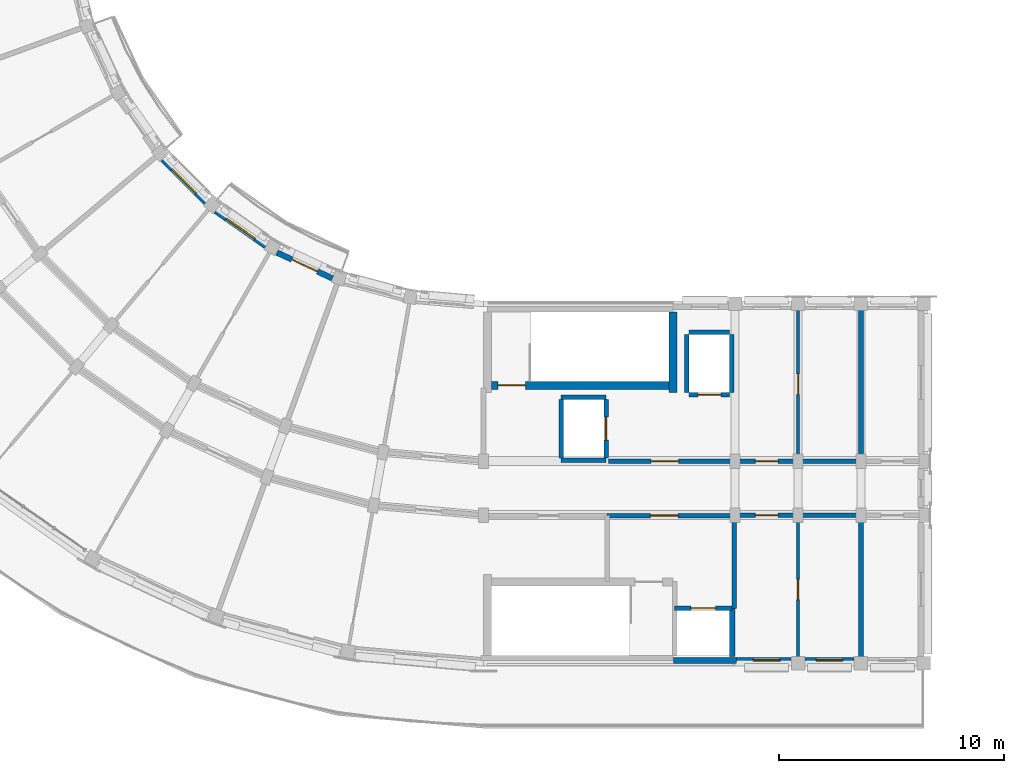
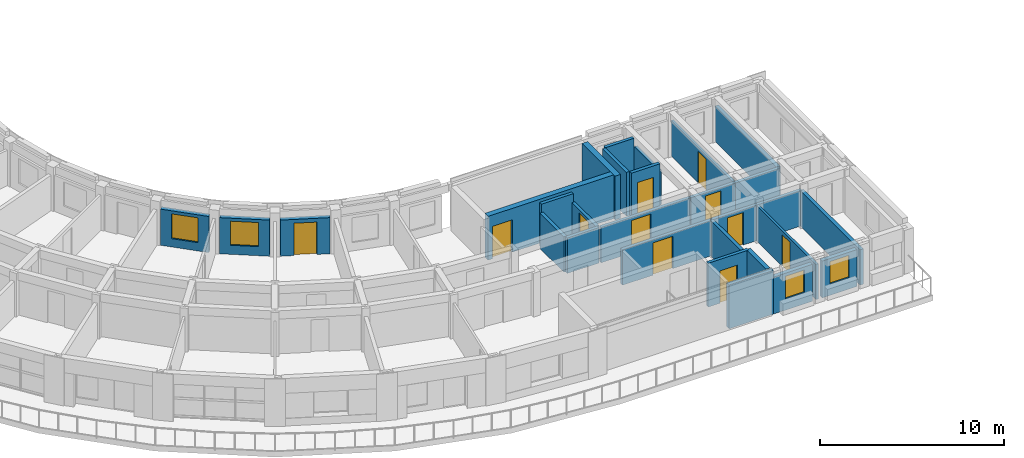
# One storey, part 18 of 53: 29 walls, 11 doors, 4 windows, 15 openings.
"""IFC4 building model written with IfcOpenShell, lengths in metres."""

from ifc_helpers import new_model, si_unit, direction, frame, frame_2d, origin, place, context, subcontext, project, spatial, rectangle, extrude, material, layer, layer_set, type_object, element, fill, save


model = new_model("IFC4")

# Units and contexts
model_context = context("Model", 3, precision=1e-05, world=origin(), true_north=direction((0.0, 1.0)))
body_context = subcontext(model_context, "Body", "Model", "MODEL_VIEW")
ifc_project = project(units=[si_unit("LENGTHUNIT", "METRE"), si_unit("AREAUNIT", "SQUARE_METRE"), si_unit("VOLUMEUNIT", "CUBIC_METRE"), si_unit("PLANEANGLEUNIT", "RADIAN"), si_unit("MASSUNIT", "GRAM", prefix="KILO")], contexts=[model_context])

# Site, building, storey
site_placement = place(None, origin())
site = spatial("IfcSite", under=ifc_project, at=site_placement, CompositionType="ELEMENT")
building_placement = place(site_placement, origin())
building = spatial("IfcBuilding", under=site, at=building_placement, Name="Kiranvali Square Residences", CompositionType="ELEMENT")
storey_placement = place(building_placement, frame((0.0, 0.0, 30.75)))
storey = spatial("IfcBuildingStorey", under=building, at=storey_placement, Name="L09", CompositionType="ELEMENT", Elevation=30.75)

# Wall, opening, door
ifc_material_1 = material(Name="Autoclaved aerated concrete blockwork masonry", Category="masonry")
ifc_layer_1 = layer(ifc_material_1, 0.199951171875)
ifc_layer_set_1 = layer_set([ifc_layer_1], Name="Autoclaved aerated concrete blockwork masonry")
wall_type_1 = type_object("IfcWallType", Name="WL-COR-200", PredefinedType="STANDARD", material=ifc_layer_set_1)
wall_1_placement = place(storey_placement, frame((53.75, 22.39990234375, 0.0), z_axis=(0.0, 0.0, 1.0), x_axis=(1.0, 0.0, 0.0)))
wall_1 = element("IfcWall", 1, at=wall_1_placement, inside=storey, type_object=wall_type_1, Name="L09 architectural wall WL-L09-C-LL-COR", PredefinedType="STANDARD", context=body_context, shape_type="SweptSolid", body=[
    extrude(rectangle(XDim=5.60009765625, YDim=0.199951171875, at=frame_2d((2.800048828125, 0.0))), origin(), (0.0, 0.0, 1.0), 2.35205078125),
])
opening_1_placement = place(wall_1_placement, frame((1.909912109375, 0.0, 0.0)))
opening_1 = element("IfcOpeningElement", 2, at=opening_1_placement, cuts=wall_1, Name="Opening FD-COR-60", PredefinedType="OPENING", context=body_context, shape_type="SweptSolid", body=[
    extrude(rectangle(XDim=1.219970703125, YDim=2.14990234375, at=frame_2d((0.60986328125, 1.074951171875))), frame((0.0, 0.10986328125, 0.0), z_axis=(0.0, -1.0, 0.0), x_axis=(1.0, 0.0, 0.0)), (0.0, 0.0, 1.0), 0.219970703125),
])
ifc_material_2 = material(Name="Fire-rated acoustic hardwood and mineral-core door assembly", Category="wood")
door_type_1 = type_object("IfcDoorType", Name="DR-FD60-1200", OperationType="NOTDEFINED", PredefinedType="DOOR", material=ifc_material_2)
door_1_placement = place(opening_1_placement, origin())
door_1 = element("IfcDoor", 3, at=door_1_placement, inside=storey, type_object=door_type_1, Name="L09 door DR-L09-2263 (DR-FD60-1200)", OperationType="SINGLE_SWING_LEFT", OverallHeight=2.14990234375, OverallWidth=1.219970703125, PredefinedType="DOOR", context=body_context, shape_type="SweptSolid", body=[
    extrude(rectangle(XDim=1.219970703125, YDim=2.14990234375, at=frame_2d((0.60986328125, 1.074951171875))), frame((0.0, 0.02490234375, 0.0), z_axis=(0.0, -1.0, 0.0), x_axis=(1.0, 0.0, 0.0)), (0.0, 0.0, 1.0), 0.050048828125),
])
fill(opening_1, door_1)

wall_2_placement = place(storey_placement, frame((59.39990234375, 22.39990234375, 0.0), z_axis=(0.0, 0.0, 1.0), x_axis=(1.0, 0.0, 0.0)))
wall_2 = element("IfcWall", 4, at=wall_2_placement, inside=storey, type_object=wall_type_1, Name="L09 architectural wall WL-L09-C-A1CI-0", PredefinedType="STANDARD", context=body_context, shape_type="SweptSolid", body=[
    extrude(rectangle(XDim=2.800048828125, YDim=0.199951171875, at=frame_2d((1.39990234375, 0.0))), origin(), (0.0, 0.0, 1.0), 2.35205078125),
])
opening_2_placement = place(wall_2_placement, frame((0.89990234375, 0.0, 0.0)))
opening_2 = element("IfcOpeningElement", 5, at=opening_2_placement, cuts=wall_2, Name="Opening FD-APT-60", PredefinedType="OPENING", context=body_context, shape_type="SweptSolid", body=[
    extrude(rectangle(XDim=1.0, YDim=2.14990234375, at=frame_2d((0.5, 1.074951171875))), frame((0.0, 0.10986328125, 0.0), z_axis=(0.0, -1.0, 0.0), x_axis=(1.0, 0.0, 0.0)), (0.0, 0.0, 1.0), 0.219970703125),
])
door_type_2 = type_object("IfcDoorType", Name="DR-APT-1000", OperationType="NOTDEFINED", PredefinedType="DOOR", material=ifc_material_2)
door_2_placement = place(opening_2_placement, frame((1.0, 0.0, 0.0), z_axis=(0.0, 0.0, 1.0), x_axis=(-1.0, 0.0, 0.0)))
door_2 = element("IfcDoor", 6, at=door_2_placement, inside=storey, type_object=door_type_2, Name="L09 door DR-L09-2266 (DR-APT-1000)", OperationType="SINGLE_SWING_RIGHT", OverallHeight=2.14990234375, OverallWidth=1.0, PredefinedType="DOOR", context=body_context, shape_type="SweptSolid", body=[
    extrude(rectangle(XDim=1.0, YDim=2.14990234375, at=frame_2d((0.5, 1.074951171875))), frame((0.0, 0.02490234375, 0.0), z_axis=(0.0, -1.0, 0.0), x_axis=(1.0, 0.0, 0.0)), (0.0, 0.0, 1.0), 0.050048828125),
])
fill(opening_2, door_2)

wall_3_placement = place(storey_placement, frame((59.39990234375, 20.0, 0.0), z_axis=(0.0, 0.0, 1.0), x_axis=(1.0, 0.0, 0.0)))
wall_3 = element("IfcWall", 7, at=wall_3_placement, inside=storey, type_object=wall_type_1, Name="L09 architectural wall WL-L09-C-A1CO-0", PredefinedType="STANDARD", context=body_context, shape_type="SweptSolid", body=[
    extrude(rectangle(XDim=2.800048828125, YDim=0.199951171875, at=frame_2d((1.39990234375, 0.0))), origin(), (0.0, 0.0, 1.0), 2.35205078125),
])
opening_3_placement = place(wall_3_placement, frame((0.89990234375, 0.0, 0.0)))
opening_3 = element("IfcOpeningElement", 8, at=opening_3_placement, cuts=wall_3, Name="Opening FD-APT-60", PredefinedType="OPENING", context=body_context, shape_type="SweptSolid", body=[
    extrude(rectangle(XDim=1.0, YDim=2.14990234375, at=frame_2d((0.5, 1.074951171875))), frame((0.0, 0.10986328125, 0.0), z_axis=(0.0, -1.0, 0.0), x_axis=(1.0, 0.0, 0.0)), (0.0, 0.0, 1.0), 0.219970703125),
])
door_3_placement = place(opening_3_placement, origin())
door_3 = element("IfcDoor", 9, at=door_3_placement, inside=storey, type_object=door_type_2, Name="L09 door DR-L09-2267 (DR-APT-1000)", OperationType="SINGLE_SWING_LEFT", OverallHeight=2.14990234375, OverallWidth=1.0, PredefinedType="DOOR", context=body_context, shape_type="SweptSolid", body=[
    extrude(rectangle(XDim=1.0, YDim=2.14990234375, at=frame_2d((0.5, 1.074951171875))), frame((0.0, 0.02490234375, 0.0), z_axis=(0.0, -1.0, 0.0), x_axis=(1.0, 0.0, 0.0)), (0.0, 0.0, 1.0), 0.050048828125),
])
fill(opening_3, door_3)

# Walls
for number, where, z_axis, x_axis, name in (
    (10, (62.199951171875, 22.39990234375, 0.0), (0.0, 0.0, 1.0), (1.0, 0.0, 0.0), "L09 architectural wall WL-L09-C-A1CI-1"),
    (11, (62.199951171875, 20.0, 0.0), (0.0, 0.0, 1.0), (1.0, 0.0, 0.0), "L09 architectural wall WL-L09-C-A1CO-1"),
):
    element("IfcWall", number, at=place(storey_placement, frame(where, z_axis=z_axis, x_axis=x_axis)), inside=storey, type_object=wall_type_1, Name=name, PredefinedType="STANDARD", context=body_context, shape_type="SweptSolid", body=[
        extrude(rectangle(XDim=2.800048828125, YDim=0.199951171875, at=frame_2d((1.39990234375, 0.0))), origin(), (0.0, 0.0, 1.0), 2.35205078125),
    ])
ifc_layer_2 = layer(ifc_material_1, 0.219970703125)
ifc_layer_set_2 = layer_set([ifc_layer_2], Name="Autoclaved aerated concrete blockwork masonry")
wall_type_2 = type_object("IfcWallType", Name="WL-DEM-220", PredefinedType="STANDARD", material=ifc_layer_set_2)
wall_4_placement = place(storey_placement, frame((65.0, 29.199951171875, 0.0), z_axis=(0.0, 0.0, 1.0), x_axis=(0.0, -1.0, 0.0)))
element("IfcWall", 12, at=wall_4_placement, inside=storey, type_object=wall_type_2, Name="L09 architectural wall WL-L09-C-A1TI-2", PredefinedType="STANDARD", context=body_context, shape_type="SweptSolid", body=[
    extrude(rectangle(XDim=6.75, YDim=0.219970703125, at=frame_2d((3.375, 0.0))), origin(), (0.0, 0.0, 1.0), 2.35205078125),
])
wall_5_placement = place(storey_placement, frame((65.0, 19.949951171875, 0.0), z_axis=(0.0, 0.0, 1.0), x_axis=(0.0, -1.0, 0.0)))
element("IfcWall", 13, at=wall_5_placement, inside=storey, type_object=wall_type_2, Name="L09 architectural wall WL-L09-C-A1TO1-2", PredefinedType="STANDARD", context=body_context, shape_type="SweptSolid", body=[
    extrude(rectangle(XDim=6.530029296875, YDim=0.219970703125, at=frame_2d((3.26513671875, 0.0))), origin(), (0.0, 0.0, 1.0), 2.35205078125),
])

# Wall, opening, door
ifc_material_3 = material(Name="Breathable lime-rendered clay brick masonry", Category="masonry")
ifc_layer_3 = layer(ifc_material_3, 0.25)
ifc_layer_set_3 = layer_set([ifc_layer_3], Name="Breathable lime-rendered clay brick masonry")
wall_type_3 = type_object("IfcWallType", Name="WL-EXT-250", PredefinedType="STANDARD", material=ifc_layer_set_3)
wall_6_placement = place(storey_placement, frame((41.464599609375, 30.538330078125, 0.0), z_axis=(0.0, 0.0, 1.0), x_axis=(-0.906302358412, 0.422629903269, 0.0)))
wall_6 = element("IfcWall", 14, at=wall_6_placement, inside=storey, type_object=wall_type_3, Name="L09 exterior wall C-L09-GDN-02", PredefinedType="STANDARD", context=body_context, shape_type="SweptSolid", body=[
    extrude(rectangle(XDim=2.7197265625, YDim=0.25, at=frame_2d((1.35986328125, 0.0))), origin(), (0.0, 0.0, 1.0), 2.402099609375),
])
opening_4_placement = place(wall_6_placement, frame((0.729736328125, 0.0, 0.0)))
opening_4 = element("IfcOpeningElement", 15, at=opening_4_placement, cuts=wall_6, Name="Opening ED-BAL-2", PredefinedType="OPENING", context=body_context, shape_type="SweptSolid", body=[
    extrude(rectangle(XDim=1.260009765625, YDim=2.14990234375, at=frame_2d((0.6298828125, 1.074951171875))), frame((0.0, 0.135009765625, 0.0), z_axis=(0.0, -1.0, 0.0), x_axis=(1.0, 0.0, 0.0)), (0.0, 0.0, 1.0), 0.27001953125),
])
ifc_material_4 = material(Name="Anodised bronze aluminium framing", Category="aluminium")
door_type_3 = type_object("IfcDoorType", Name="DR-BAL-1260", OperationType="NOTDEFINED", PredefinedType="DOOR", material=ifc_material_4)
door_4_placement = place(opening_4_placement, frame((1.260009765625, 0.0, 0.0), z_axis=(0.0, 0.0, 1.0), x_axis=(-1.0, 0.0, 0.0)))
door_4 = element("IfcDoor", 16, at=door_4_placement, inside=storey, type_object=door_type_3, Name="L09 balcony terrace door", OperationType="SINGLE_SWING_LEFT", OverallHeight=2.14990234375, OverallWidth=1.260009765625, PredefinedType="DOOR", context=body_context, shape_type="SweptSolid", body=[
    extrude(rectangle(XDim=1.260009765625, YDim=2.14990234375, at=frame_2d((0.6298828125, 1.074951171875))), frame((0.0, 0.02490234375, 0.0), z_axis=(0.0, -1.0, 0.0), x_axis=(1.0, 0.0, 0.0)), (0.0, 0.0, 1.0), 0.050048828125),
])
fill(opening_4, door_4)

# Wall, opening, window
wall_7_placement = place(storey_placement, frame((38.5, 31.97607421875, 0.0), z_axis=(0.0, 0.0, 1.0), x_axis=(-0.819126475299, 0.573612950921, 0.0)))
wall_7 = element("IfcWall", 17, at=wall_7_placement, inside=storey, type_object=wall_type_3, Name="L09 exterior wall C-L09-GDN-03", PredefinedType="STANDARD", context=body_context, shape_type="SweptSolid", body=[
    extrude(rectangle(XDim=2.7197265625, YDim=0.25, at=frame_2d((1.35986328125, 0.0))), origin(), (0.0, 0.0, 1.0), 2.402099609375),
])
opening_5_placement = place(wall_7_placement, frame((0.5849609375, 0.0, 0.60205078125)))
opening_5 = element("IfcOpeningElement", 18, at=opening_5_placement, cuts=wall_7, Name="Opening W-18", PredefinedType="OPENING", context=body_context, shape_type="SweptSolid", body=[
    extrude(rectangle(XDim=1.550048828125, YDim=1.60009765625, at=frame_2d((0.77490234375, 0.800048828125))), frame((0.0, 0.135009765625, 0.0), z_axis=(0.0, -1.0, 0.0), x_axis=(1.0, 0.0, 0.0)), (0.0, 0.0, 1.0), 0.27001953125),
])
ifc_material_5 = material(Name="Solar-control low-e double glazing", Category="glass")
window_type_1 = type_object("IfcWindowType", Name="WIN-GDN-1550x1600", PartitioningType="DOUBLE_PANEL_VERTICAL", PredefinedType="WINDOW", material=ifc_material_5)
window_1_placement = place(opening_5_placement, origin())
window_1 = element("IfcWindow", 19, at=window_1_placement, inside=storey, type_object=window_type_1, Name="L09 recessed window C-L09-GDN-03", OverallHeight=1.60009765625, OverallWidth=1.550048828125, PartitioningType="DOUBLE_PANEL_VERTICAL", PredefinedType="WINDOW", context=body_context, shape_type="SweptSolid", body=[
    extrude(rectangle(XDim=1.550048828125, YDim=1.60009765625, at=frame_2d((0.77490234375, 0.800048828125))), frame((0.0, 0.030029296875, 0.0), z_axis=(0.0, -1.0, 0.0), x_axis=(1.0, 0.0, 0.0)), (0.0, 0.0, 1.0), 0.06005859375),
])
fill(opening_5, window_1)

wall_8_placement = place(storey_placement, frame((35.830078125, 33.906982421875, 0.0), z_axis=(0.0, 0.0, 1.0), x_axis=(-0.707106781187, 0.707106781187, 0.0)))
wall_8 = element("IfcWall", 20, at=wall_8_placement, inside=storey, type_object=wall_type_3, Name="L09 exterior wall C-L09-GDN-04", PredefinedType="STANDARD", context=body_context, shape_type="SweptSolid", body=[
    extrude(rectangle(XDim=2.7197265625, YDim=0.25, at=frame_2d((1.35986328125, 0.0))), origin(), (0.0, 0.0, 1.0), 2.402099609375),
])
opening_6_placement = place(wall_8_placement, frame((0.60986328125, 0.0, 0.552001953125)))
opening_6 = element("IfcOpeningElement", 21, at=opening_6_placement, cuts=wall_8, Name="Opening W-05", PredefinedType="OPENING", context=body_context, shape_type="SweptSolid", body=[
    extrude(rectangle(XDim=1.5, YDim=1.64990234375, at=frame_2d((0.75, 0.824951171875))), frame((0.0, 0.135009765625, 0.0), z_axis=(0.0, -1.0, 0.0), x_axis=(1.0, 0.0, 0.0)), (0.0, 0.0, 1.0), 0.27001953125),
])
window_type_2 = type_object("IfcWindowType", Name="WIN-RES-1500x1650", PartitioningType="DOUBLE_PANEL_VERTICAL", PredefinedType="WINDOW", material=ifc_material_5)
window_2_placement = place(opening_6_placement, origin())
window_2 = element("IfcWindow", 22, at=window_2_placement, inside=storey, type_object=window_type_2, Name="L09 recessed window C-L09-GDN-04", OverallHeight=1.64990234375, OverallWidth=1.5, PartitioningType="DOUBLE_PANEL_VERTICAL", PredefinedType="WINDOW", context=body_context, shape_type="SweptSolid", body=[
    extrude(rectangle(XDim=1.5, YDim=1.64990234375, at=frame_2d((0.75, 0.824951171875))), frame((0.0, 0.030029296875, 0.0), z_axis=(0.0, -1.0, 0.0), x_axis=(1.0, 0.0, 0.0)), (0.0, 0.0, 1.0), 0.06005859375),
])
fill(opening_6, window_2)

wall_9_placement = place(storey_placement, frame((59.45361328125, 13.52490234375, 0.0), z_axis=(0.0, 0.0, 1.0), x_axis=(1.0, 0.0, 0.0)))
wall_9 = element("IfcWall", 23, at=wall_9_placement, inside=storey, type_object=wall_type_3, Name="L09 exterior wall C-L09-A1TO-0", PredefinedType="STANDARD", context=body_context, shape_type="SweptSolid", body=[
    extrude(rectangle(XDim=2.44287109375, YDim=0.25, at=frame_2d((1.221435546875, 0.0))), origin(), (0.0, 0.0, 1.0), 2.451904296875),
])
opening_7_placement = place(wall_9_placement, frame((0.74658203125, 0.0, 0.751953125)))
opening_7 = element("IfcOpeningElement", 24, at=opening_7_placement, cuts=wall_9, Name="Opening W-06", PredefinedType="OPENING", context=body_context, shape_type="SweptSolid", body=[
    extrude(rectangle(XDim=1.199951171875, YDim=1.5, at=frame_2d((0.60009765625, 0.75))), frame((0.0, 0.135009765625, 0.0), z_axis=(0.0, -1.0, 0.0), x_axis=(1.0, 0.0, 0.0)), (0.0, 0.0, 1.0), 0.27001953125),
])
window_type_3 = type_object("IfcWindowType", Name="WIN-RES-1200x1500", PartitioningType="SINGLE_PANEL", PredefinedType="WINDOW", material=ifc_material_5)
window_3_placement = place(opening_7_placement, origin())
window_3 = element("IfcWindow", 25, at=window_3_placement, inside=storey, type_object=window_type_3, Name="L09 recessed window C-L09-A1TO-0", OverallHeight=1.5, OverallWidth=1.199951171875, PartitioningType="SINGLE_PANEL", PredefinedType="WINDOW", context=body_context, shape_type="SweptSolid", body=[
    extrude(rectangle(XDim=1.199951171875, YDim=1.5, at=frame_2d((0.60009765625, 0.75))), frame((0.0, 0.030029296875, 0.0), z_axis=(0.0, -1.0, 0.0), x_axis=(1.0, 0.0, 0.0)), (0.0, 0.0, 1.0), 0.06005859375),
])
fill(opening_7, window_3)

wall_10_placement = place(storey_placement, frame((62.50341796875, 13.52490234375, 0.0), z_axis=(0.0, 0.0, 1.0), x_axis=(1.0, 0.0, 0.0)))
wall_10 = element("IfcWall", 26, at=wall_10_placement, inside=storey, type_object=wall_type_3, Name="L09 exterior wall C-L09-A1TO-1", PredefinedType="STANDARD", context=body_context, shape_type="SweptSolid", body=[
    extrude(rectangle(XDim=2.193115234375, YDim=0.25, at=frame_2d((1.0966796875, 0.0))), origin(), (0.0, 0.0, 1.0), 2.451904296875),
])
opening_8_placement = place(wall_10_placement, frame((0.49658203125, 0.0, 0.751953125)))
opening_8 = element("IfcOpeningElement", 27, at=opening_8_placement, cuts=wall_10, Name="Opening W-06", PredefinedType="OPENING", context=body_context, shape_type="SweptSolid", body=[
    extrude(rectangle(XDim=1.199951171875, YDim=1.5, at=frame_2d((0.60009765625, 0.75))), frame((0.0, 0.135009765625, 0.0), z_axis=(0.0, -1.0, 0.0), x_axis=(1.0, 0.0, 0.0)), (0.0, 0.0, 1.0), 0.27001953125),
])
window_4_placement = place(opening_8_placement, origin())
window_4 = element("IfcWindow", 28, at=window_4_placement, inside=storey, type_object=window_type_3, Name="L09 recessed window C-L09-A1TO-1", OverallHeight=1.5, OverallWidth=1.199951171875, PartitioningType="SINGLE_PANEL", PredefinedType="WINDOW", context=body_context, shape_type="SweptSolid", body=[
    extrude(rectangle(XDim=1.199951171875, YDim=1.5, at=frame_2d((0.60009765625, 0.75))), frame((0.0, 0.030029296875, 0.0), z_axis=(0.0, -1.0, 0.0), x_axis=(1.0, 0.0, 0.0)), (0.0, 0.0, 1.0), 0.06005859375),
])
fill(opening_8, window_4)

# Wall, opening, door
ifc_layer_4 = layer(ifc_material_1, 0.199951171875)
ifc_layer_set_4 = layer_set([ifc_layer_4], Name="Autoclaved aerated concrete blockwork masonry")
wall_type_4 = type_object("IfcWallType", Name="WL-FFL-200", PredefinedType="STANDARD", material=ifc_layer_set_4)
wall_11_placement = place(storey_placement, frame((53.699951171875, 19.97998046875, 0.0), z_axis=(0.0, 0.0, 1.0), x_axis=(1.0, 0.0, 0.0)))
wall_11 = element("IfcWall", 29, at=wall_11_placement, inside=storey, type_object=wall_type_4, Name="L09 architectural wall WL-L09-C-FF-COR", PredefinedType="STANDARD", context=body_context, shape_type="SweptSolid", body=[
    extrude(rectangle(XDim=5.650146484375, YDim=0.199951171875, at=frame_2d((2.8251953125, 0.0))), origin(), (0.0, 0.0, 1.0), 2.35205078125),
])
opening_9_placement = place(wall_11_placement, frame((1.922607421875, 0.0, 0.0)))
opening_9 = element("IfcOpeningElement", 30, at=opening_9_placement, cuts=wall_11, Name="Opening FD-ST-120", PredefinedType="OPENING", context=body_context, shape_type="SweptSolid", body=[
    extrude(rectangle(XDim=1.239990234375, YDim=2.14990234375, at=frame_2d((0.6201171875, 1.074951171875))), frame((0.0, 0.10986328125, 0.0), z_axis=(0.0, -1.0, 0.0), x_axis=(1.0, 0.0, 0.0)), (0.0, 0.0, 1.0), 0.219970703125),
])
door_type_4 = type_object("IfcDoorType", Name="DR-FD120-1200", OperationType="NOTDEFINED", PredefinedType="DOOR", material=ifc_material_2)
door_5_placement = place(opening_9_placement, origin())
door_5 = element("IfcDoor", 31, at=door_5_placement, inside=storey, type_object=door_type_4, Name="L09 door DR-L09-2255 (DR-FD120-1200)", OperationType="SINGLE_SWING_LEFT", OverallHeight=2.14990234375, OverallWidth=1.239990234375, PredefinedType="DOOR", context=body_context, shape_type="SweptSolid", body=[
    extrude(rectangle(XDim=1.239990234375, YDim=2.14990234375, at=frame_2d((0.6201171875, 1.074951171875))), frame((0.0, 0.02490234375, 0.0), z_axis=(0.0, -1.0, 0.0), x_axis=(1.0, 0.0, 0.0)), (0.0, 0.0, 1.0), 0.050048828125),
])
fill(opening_9, door_5)

# Wall
wall_12_placement = place(storey_placement, frame((59.35009765625, 19.97998046875, 0.0), z_axis=(0.0, 0.0, 1.0), x_axis=(0.0, -1.0, 0.0)))
element("IfcWall", 32, at=wall_12_placement, inside=storey, type_object=wall_type_4, Name="L09 architectural wall WL-L09-C-FF-END", PredefinedType="STANDARD", context=body_context, shape_type="SweptSolid", body=[
    extrude(rectangle(XDim=4.1298828125, YDim=0.199951171875, at=frame_2d((2.06494140625, 0.0))), origin(), (0.0, 0.0, 1.0), 2.35205078125),
])

# Wall, opening, door
wall_13_placement = place(storey_placement, frame((56.699951171875, 15.85009765625, 0.0), z_axis=(0.0, 0.0, 1.0), x_axis=(1.0, 0.0, 0.0)))
wall_13 = element("IfcWall", 33, at=wall_13_placement, inside=storey, type_object=wall_type_4, Name="L09 architectural wall WL-L09-C-FF-LFT", PredefinedType="STANDARD", context=body_context, shape_type="SweptSolid", body=[
    extrude(rectangle(XDim=2.550048828125, YDim=0.199951171875, at=frame_2d((1.27490234375, 0.0))), origin(), (0.0, 0.0, 1.0), 2.909912109375),
])
opening_10_placement = place(wall_13_placement, frame((0.72509765625, 0.0, 0.0)))
opening_10 = element("IfcOpeningElement", 34, at=opening_10_placement, cuts=wall_13, Name="Opening LD-FF-110", PredefinedType="OPENING", context=body_context, shape_type="SweptSolid", body=[
    extrude(rectangle(XDim=1.10009765625, YDim=2.14990234375, at=frame_2d((0.550048828125, 1.074951171875))), frame((0.0, 0.10986328125, 0.0), z_axis=(0.0, -1.0, 0.0), x_axis=(1.0, 0.0, 0.0)), (0.0, 0.0, 1.0), 0.219970703125),
])
door_type_5 = type_object("IfcDoorType", Name="DR-LIFT-FF-1100", OperationType="SLIDING_TO_LEFT", PredefinedType="DOOR", material=ifc_material_2)
door_6_placement = place(opening_10_placement, origin())
door_6 = element("IfcDoor", 35, at=door_6_placement, inside=storey, type_object=door_type_5, Name="L09 door DR-L09-2257 (DR-LIFT-FF-1100)", OperationType="SLIDING_TO_LEFT", OverallHeight=2.14990234375, OverallWidth=1.10009765625, PredefinedType="DOOR", context=body_context, shape_type="SweptSolid", body=[
    extrude(rectangle(XDim=1.10009765625, YDim=2.14990234375, at=frame_2d((0.550048828125, 1.074951171875))), frame((0.0, 0.02490234375, 0.0), z_axis=(0.0, -1.0, 0.0), x_axis=(1.0, 0.0, 0.0)), (0.0, 0.0, 1.0), 0.050048828125),
])
fill(opening_10, door_6)

ifc_material_6 = material(Name="Acoustic gypsum board drylined partition", Category="gypsum")
ifc_layer_5 = layer(ifc_material_6, 0.14990234375)
ifc_layer_set_5 = layer_set([ifc_layer_5], Name="Acoustic gypsum board drylined partition")
wall_type_5 = type_object("IfcWallType", Name="WL-PRT-150", PredefinedType="PARTITIONING", material=ifc_layer_set_5)
wall_14_placement = place(storey_placement, frame((62.199951171875, 29.199951171875, 0.0), z_axis=(0.0, 0.0, 1.0), x_axis=(0.0, -1.0, 0.0)))
wall_14 = element("IfcWall", 36, at=wall_14_placement, inside=storey, type_object=wall_type_5, Name="L09 architectural wall WL-L09-C-A1TI-1", PredefinedType="PARTITIONING", context=body_context, shape_type="SweptSolid", body=[
    extrude(rectangle(XDim=6.75, YDim=0.14990234375, at=frame_2d((3.375, 0.0))), origin(), (0.0, 0.0, 1.0), 2.35205078125),
])
opening_11_placement = place(wall_14_placement, frame((2.925048828125, 0.0, 0.0)))
opening_11 = element("IfcOpeningElement", 37, at=opening_11_placement, cuts=wall_14, Name="Opening ID-1", PredefinedType="OPENING", context=body_context, shape_type="SweptSolid", body=[
    extrude(rectangle(XDim=0.89990234375, YDim=2.10009765625, at=frame_2d((0.449951171875, 1.050048828125))), frame((0.0, 0.0849609375, 0.0), z_axis=(0.0, -1.0, 0.0), x_axis=(1.0, 0.0, 0.0)), (0.0, 0.0, 1.0), 0.169921875),
])
ifc_material_7 = material(Name="Solid seasoned teak hardwood joinery", Category="wood")
door_type_6 = type_object("IfcDoorType", Name="DR-INT-900", OperationType="NOTDEFINED", PredefinedType="DOOR", material=ifc_material_7)
door_7_placement = place(opening_11_placement, frame((0.89990234375, 0.0, 0.0), z_axis=(0.0, 0.0, 1.0), x_axis=(-1.0, 0.0, 0.0)))
door_7 = element("IfcDoor", 38, at=door_7_placement, inside=storey, type_object=door_type_6, Name="L09 door DR-L09-2270 (DR-INT-900)", OperationType="SINGLE_SWING_RIGHT", OverallHeight=2.10009765625, OverallWidth=0.89990234375, PredefinedType="DOOR", context=body_context, shape_type="SweptSolid", body=[
    extrude(rectangle(XDim=0.89990234375, YDim=2.10009765625, at=frame_2d((0.449951171875, 1.050048828125))), frame((0.0, 0.02490234375, 0.0), z_axis=(0.0, -1.0, 0.0), x_axis=(1.0, 0.0, 0.0)), (0.0, 0.0, 1.0), 0.050048828125),
])
fill(opening_11, door_7)

wall_15_placement = place(storey_placement, frame((62.199951171875, 19.949951171875, 0.0), z_axis=(0.0, 0.0, 1.0), x_axis=(0.0, -1.0, 0.0)))
wall_15 = element("IfcWall", 39, at=wall_15_placement, inside=storey, type_object=wall_type_5, Name="L09 architectural wall WL-L09-C-A1TO1-1", PredefinedType="PARTITIONING", context=body_context, shape_type="SweptSolid", body=[
    extrude(rectangle(XDim=6.530029296875, YDim=0.14990234375, at=frame_2d((3.26513671875, 0.0))), origin(), (0.0, 0.0, 1.0), 2.35205078125),
])
opening_12_placement = place(wall_15_placement, frame((2.81494140625, 0.0, 0.0)))
opening_12 = element("IfcOpeningElement", 40, at=opening_12_placement, cuts=wall_15, Name="Opening ID-1", PredefinedType="OPENING", context=body_context, shape_type="SweptSolid", body=[
    extrude(rectangle(XDim=0.89990234375, YDim=2.10009765625, at=frame_2d((0.449951171875, 1.050048828125))), frame((0.0, 0.0849609375, 0.0), z_axis=(0.0, -1.0, 0.0), x_axis=(1.0, 0.0, 0.0)), (0.0, 0.0, 1.0), 0.169921875),
])
door_8_placement = place(opening_12_placement, origin())
door_8 = element("IfcDoor", 41, at=door_8_placement, inside=storey, type_object=door_type_6, Name="L09 door DR-L09-2271 (DR-INT-900)", OperationType="SINGLE_SWING_LEFT", OverallHeight=2.10009765625, OverallWidth=0.89990234375, PredefinedType="DOOR", context=body_context, shape_type="SweptSolid", body=[
    extrude(rectangle(XDim=0.89990234375, YDim=2.10009765625, at=frame_2d((0.449951171875, 1.050048828125))), frame((0.0, 0.02490234375, 0.0), z_axis=(0.0, -1.0, 0.0), x_axis=(1.0, 0.0, 0.0)), (0.0, 0.0, 1.0), 0.050048828125),
])
fill(opening_12, door_8)

# Walls
ifc_layer_6 = layer(ifc_material_1, 0.199951171875)
ifc_layer_set_6 = layer_set([ifc_layer_6], Name="Autoclaved aerated concrete blockwork masonry")
wall_type_6 = type_object("IfcWallType", Name="WL-SHF-200", PredefinedType="STANDARD", material=ifc_layer_set_6)
wall_16_placement = place(storey_placement, frame((57.25, 28.050048828125, 0.0), z_axis=(0.0, 0.0, 1.0), x_axis=(0.0, -1.0, 0.0)))
element("IfcWall", 42, at=wall_16_placement, inside=storey, type_object=wall_type_6, Name="L09 architectural wall WL-L09-C-LP1-S1", PredefinedType="STANDARD", context=body_context, shape_type="SweptSolid", body=[
    extrude(rectangle(XDim=2.60009765625, YDim=0.199951171875, at=frame_2d((1.300048828125, 0.0))), origin(), (0.0, 0.0, 1.0), 2.909912109375),
])
wall_17_placement = place(storey_placement, frame((59.25, 28.050048828125, 0.0), z_axis=(0.0, 0.0, 1.0), x_axis=(0.0, -1.0, 0.0)))
element("IfcWall", 43, at=wall_17_placement, inside=storey, type_object=wall_type_6, Name="L09 architectural wall WL-L09-C-LP1-B", PredefinedType="STANDARD", context=body_context, shape_type="SweptSolid", body=[
    extrude(rectangle(XDim=2.60009765625, YDim=0.199951171875, at=frame_2d((1.300048828125, 0.0))), origin(), (0.0, 0.0, 1.0), 2.35205078125),
])
wall_18_placement = place(storey_placement, frame((57.35009765625, 28.14990234375, 0.0), z_axis=(0.0, 0.0, 1.0), x_axis=(1.0, 0.0, 0.0)))
element("IfcWall", 44, at=wall_18_placement, inside=storey, type_object=wall_type_6, Name="L09 architectural wall WL-L09-C-LP1-S2", PredefinedType="STANDARD", context=body_context, shape_type="SweptSolid", body=[
    extrude(rectangle(XDim=1.7998046875, YDim=0.199951171875, at=frame_2d((0.89990234375, 0.0))), origin(), (0.0, 0.0, 1.0), 2.909912109375),
])

# Wall, opening, door
wall_19_placement = place(storey_placement, frame((57.35009765625, 25.35009765625, 0.0), z_axis=(0.0, 0.0, 1.0), x_axis=(1.0, 0.0, 0.0)))
wall_19 = element("IfcWall", 45, at=wall_19_placement, inside=storey, type_object=wall_type_6, Name="L09 architectural wall WL-L09-C-LP1-F", PredefinedType="STANDARD", context=body_context, shape_type="SweptSolid", body=[
    extrude(rectangle(XDim=1.7998046875, YDim=0.199951171875, at=frame_2d((0.89990234375, 0.0))), origin(), (0.0, 0.0, 1.0), 2.909912109375),
])
opening_13_placement = place(wall_19_placement, frame((0.389892578125, 0.0, 0.0)))
opening_13 = element("IfcOpeningElement", 46, at=opening_13_placement, cuts=wall_19, Name="Opening LD-PAX-100", PredefinedType="OPENING", context=body_context, shape_type="SweptSolid", body=[
    extrude(rectangle(XDim=1.02001953125, YDim=2.14990234375, at=frame_2d((0.510009765625, 1.074951171875))), frame((0.0, 0.10986328125, 0.0), z_axis=(0.0, -1.0, 0.0), x_axis=(1.0, 0.0, 0.0)), (0.0, 0.0, 1.0), 0.219970703125),
])
door_type_7 = type_object("IfcDoorType", Name="DR-LIFT-1000", OperationType="SLIDING_TO_RIGHT", PredefinedType="DOOR", material=ifc_material_2)
door_9_placement = place(opening_13_placement, origin())
door_9 = element("IfcDoor", 47, at=door_9_placement, inside=storey, type_object=door_type_7, Name="L09 door DR-L09-2261 (DR-LIFT-1000)", OperationType="SLIDING_TO_RIGHT", OverallHeight=2.14990234375, OverallWidth=1.02001953125, PredefinedType="DOOR", context=body_context, shape_type="SweptSolid", body=[
    extrude(rectangle(XDim=1.02001953125, YDim=2.14990234375, at=frame_2d((0.510009765625, 1.074951171875))), frame((0.0, 0.02490234375, 0.0), z_axis=(0.0, -1.0, 0.0), x_axis=(1.0, 0.0, 0.0)), (0.0, 0.0, 1.0), 0.050048828125),
])
fill(opening_13, door_9)

# Walls
wall_20_placement = place(storey_placement, frame((51.64990234375, 25.25, 0.0), z_axis=(0.0, 0.0, 1.0), x_axis=(1.0, 0.0, 0.0)))
element("IfcWall", 48, at=wall_20_placement, inside=storey, type_object=wall_type_6, Name="L09 architectural wall WL-L09-C-LP2-S0", PredefinedType="STANDARD", context=body_context, shape_type="SweptSolid", body=[
    extrude(rectangle(XDim=2.0, YDim=0.199951171875, at=frame_2d((1.0, 0.0))), origin(), (0.0, 0.0, 1.0), 2.909912109375),
])
wall_21_placement = place(storey_placement, frame((51.64990234375, 22.449951171875, 0.0), z_axis=(0.0, 0.0, 1.0), x_axis=(1.0, 0.0, 0.0)))
element("IfcWall", 49, at=wall_21_placement, inside=storey, type_object=wall_type_6, Name="L09 architectural wall WL-L09-C-LP2-B", PredefinedType="STANDARD", context=body_context, shape_type="SweptSolid", body=[
    extrude(rectangle(XDim=2.0, YDim=0.199951171875, at=frame_2d((1.0, 0.0))), origin(), (0.0, 0.0, 1.0), 2.35205078125),
])
wall_22_placement = place(storey_placement, frame((51.64990234375, 25.14990234375, 0.0), z_axis=(0.0, 0.0, 1.0), x_axis=(0.0, -1.0, 0.0)))
element("IfcWall", 50, at=wall_22_placement, inside=storey, type_object=wall_type_6, Name="L09 architectural wall WL-L09-C-LP2-S1", PredefinedType="STANDARD", context=body_context, shape_type="SweptSolid", body=[
    extrude(rectangle(XDim=2.599853515625, YDim=0.199951171875, at=frame_2d((1.2998046875, 0.0))), origin(), (0.0, 0.0, 1.0), 2.35205078125),
])

# Wall, opening, door
wall_23_placement = place(storey_placement, frame((53.64990234375, 25.14990234375, 0.0), z_axis=(0.0, 0.0, 1.0), x_axis=(0.0, -1.0, 0.0)))
wall_23 = element("IfcWall", 51, at=wall_23_placement, inside=storey, type_object=wall_type_6, Name="L09 architectural wall WL-L09-C-LP2-F", PredefinedType="STANDARD", context=body_context, shape_type="SweptSolid", body=[
    extrude(rectangle(XDim=2.599853515625, YDim=0.199951171875, at=frame_2d((1.2998046875, 0.0))), origin(), (0.0, 0.0, 1.0), 2.35205078125),
])
opening_14_placement = place(wall_23_placement, frame((0.7900390625, 0.0, 0.0)))
opening_14 = element("IfcOpeningElement", 52, at=opening_14_placement, cuts=wall_23, Name="Opening LD-PAX-100", PredefinedType="OPENING", context=body_context, shape_type="SweptSolid", body=[
    extrude(rectangle(XDim=1.02001953125, YDim=2.14990234375, at=frame_2d((0.510009765625, 1.074951171875))), frame((0.0, 0.10986328125, 0.0), z_axis=(0.0, -1.0, 0.0), x_axis=(1.0, 0.0, 0.0)), (0.0, 0.0, 1.0), 0.219970703125),
])
door_10_placement = place(opening_14_placement, origin())
door_10 = element("IfcDoor", 53, at=door_10_placement, inside=storey, type_object=door_type_7, Name="L09 door DR-L09-2262 (DR-LIFT-1000)", OperationType="SLIDING_TO_RIGHT", OverallHeight=2.14990234375, OverallWidth=1.02001953125, PredefinedType="DOOR", context=body_context, shape_type="SweptSolid", body=[
    extrude(rectangle(XDim=1.02001953125, YDim=2.14990234375, at=frame_2d((0.510009765625, 1.074951171875))), frame((0.0, 0.02490234375, 0.0), z_axis=(0.0, -1.0, 0.0), x_axis=(1.0, 0.0, 0.0)), (0.0, 0.0, 1.0), 0.050048828125),
])
fill(opening_14, door_10)

# Walls
ifc_material_8 = material(Name="Concrete M45 (45 MPa)", Category="concrete")
ifc_layer_7 = layer(ifc_material_8, 0.25)
ifc_layer_set_7 = layer_set([ifc_layer_7], Name="Concrete M45 (45 MPa)")
wall_type_7 = type_object("IfcWallType", Name="WL-SHR-250", PredefinedType="SHEAR", material=ifc_layer_set_7)
wall_24_placement = place(storey_placement, frame((56.64990234375, 13.52490234375, 0.0), z_axis=(0.0, 0.0, 1.0), x_axis=(1.0, 0.0, 0.0)))
element("IfcWall", 54, at=wall_24_placement, inside=storey, type_object=wall_type_7, Name="Block C core shear wall SW-CFF-BK-L09", PredefinedType="SHEAR", context=body_context, shape_type="SweptSolid", body=[
    extrude(rectangle(XDim=2.800048828125, YDim=0.25, at=frame_2d((1.39990234375, 0.0))), origin(), (0.0, 0.0, 1.0), 2.909912109375),
])
wall_25_placement = place(storey_placement, frame((59.27490234375, 15.85009765625, 0.0), z_axis=(0.0, 0.0, 1.0), x_axis=(0.0, -1.0, 0.0)))
element("IfcWall", 55, at=wall_25_placement, inside=storey, type_object=wall_type_7, Name="Block C core shear wall SW-CFF-SD-L09", PredefinedType="SHEAR", context=body_context, shape_type="SweptSolid", body=[
    extrude(rectangle(XDim=2.150146484375, YDim=0.25, at=frame_2d((1.0751953125, 0.0))), origin(), (0.0, 0.0, 1.0), 2.909912109375),
])

# Wall, opening, door
ifc_layer_8 = layer(ifc_material_8, 0.320068359375)
ifc_layer_set_8 = layer_set([ifc_layer_8], Name="Concrete M45 (45 MPa)")
wall_type_8 = type_object("IfcWallType", Name="WL-SHR-320", PredefinedType="SHEAR", material=ifc_layer_set_8)
wall_26_placement = place(storey_placement, frame((48.550048828125, 25.77490234375, 0.0), z_axis=(0.0, 0.0, 1.0), x_axis=(1.0, 0.0, 0.0)))
wall_26 = element("IfcWall", 56, at=wall_26_placement, inside=storey, type_object=wall_type_8, Name="Block C core shear wall SW-C2-IN-L09", PredefinedType="SHEAR", context=body_context, shape_type="SweptSolid", body=[
    extrude(rectangle(XDim=7.89990234375, YDim=0.35009765625, at=frame_2d((3.949951171875, 0.0))), origin(), (0.0, 0.0, 1.0), 2.909912109375),
])
opening_15_placement = place(wall_26_placement, frame((0.280029296875, 0.0, 0.0)))
opening_15 = element("IfcOpeningElement", 57, at=opening_15_placement, cuts=wall_26, Name="Opening FD-ST-120", PredefinedType="OPENING", context=body_context, shape_type="SweptSolid", body=[
    extrude(rectangle(XDim=1.239990234375, YDim=2.14990234375, at=frame_2d((0.6201171875, 1.074951171875))), frame((0.0, 0.18505859375, 0.0), z_axis=(0.0, -1.0, 0.0), x_axis=(1.0, 0.0, 0.0)), (0.0, 0.0, 1.0), 0.3701171875),
])
door_11_placement = place(opening_15_placement, origin())
door_11 = element("IfcDoor", 58, at=door_11_placement, inside=storey, type_object=door_type_4, Name="L09 door DR-L09-2259 (DR-FD120-1200)", OperationType="SINGLE_SWING_LEFT", OverallHeight=2.14990234375, OverallWidth=1.239990234375, PredefinedType="DOOR", context=body_context, shape_type="SweptSolid", body=[
    extrude(rectangle(XDim=1.239990234375, YDim=2.14990234375, at=frame_2d((0.6201171875, 1.074951171875))), frame((0.0, 0.02490234375, 0.0), z_axis=(0.0, -1.0, 0.0), x_axis=(1.0, 0.0, 0.0)), (0.0, 0.0, 1.0), 0.050048828125),
])
fill(opening_15, door_11)

# Wall
wall_27_placement = place(storey_placement, frame((56.625, 29.050048828125, 0.0), z_axis=(0.0, 0.0, 1.0), x_axis=(0.0, -1.0, 0.0)))
element("IfcWall", 59, at=wall_27_placement, inside=storey, type_object=wall_type_8, Name="Block C core shear wall SW-C2-FAR-L09", PredefinedType="SHEAR", context=body_context, shape_type="SweptSolid", body=[
    extrude(rectangle(XDim=3.60009765625, YDim=0.35009765625, at=frame_2d((1.800048828125, 0.0))), origin(), (0.0, 0.0, 1.0), 2.909912109375),
])

save(model, "model.ifc")
